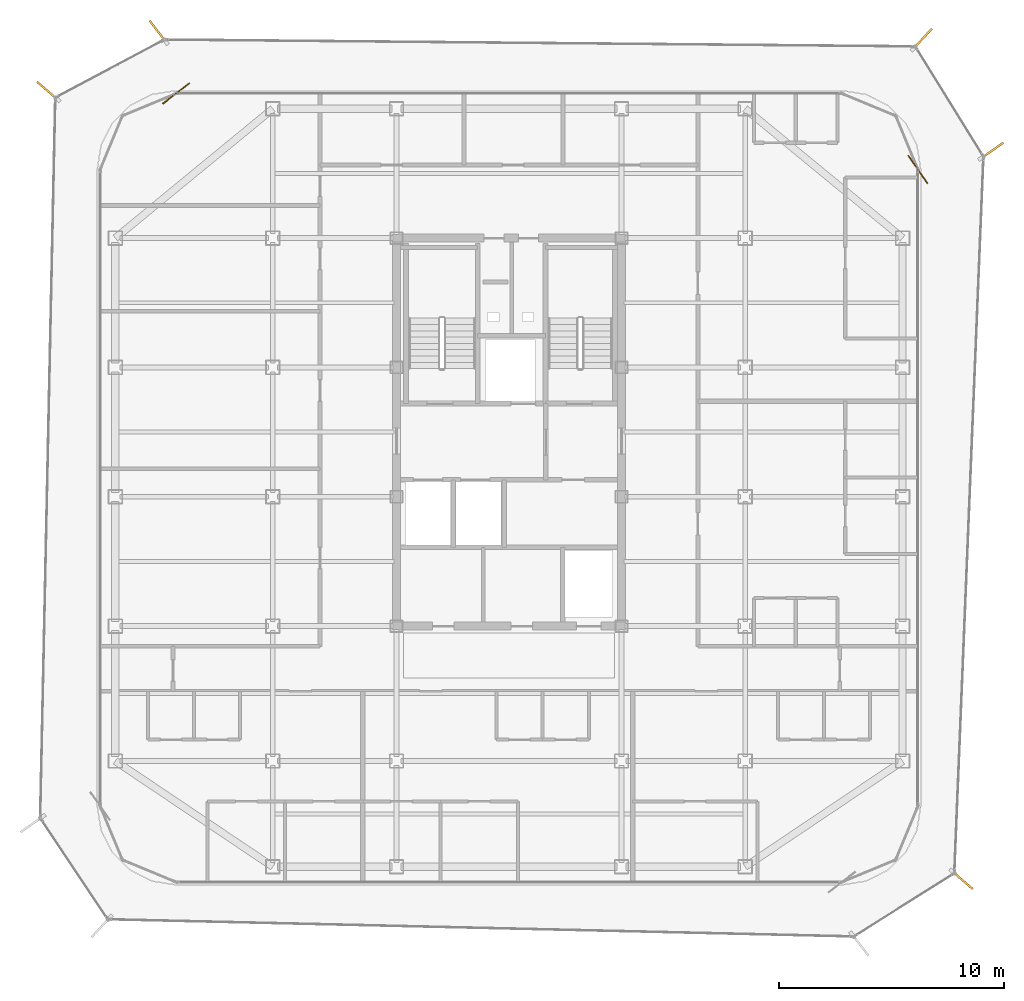
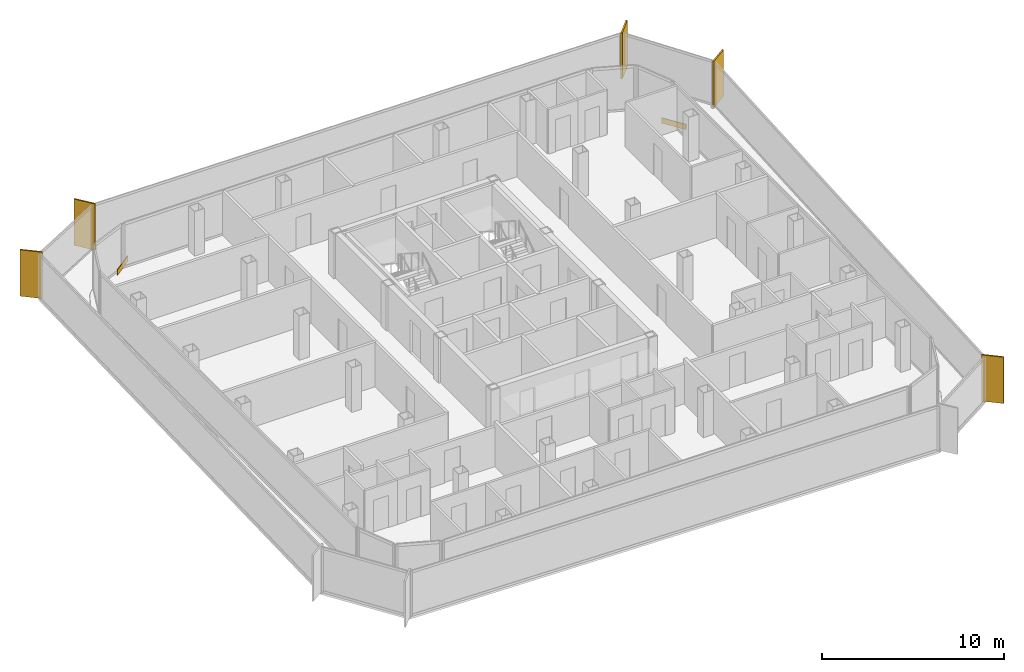
# One storey, part 15 of 15: 5 shading devices, 2 coverings.
"""IFC4 building model written with IfcOpenShell, lengths in metres."""

from ifc_helpers import new_model, si_unit, direction, frame, origin, origin_2d, place, context, subcontext, project, spatial, rectangle, extrude, source, transform, mapped, material, layer, layer_set, type_object, element, save


model = new_model("IFC4")

# Units and contexts
model_context = context("Model", 3, precision=1e-05, world=origin(), true_north=direction((0.0, 1.0)))
body_context = subcontext(model_context, "Body", "Model", "MODEL_VIEW")
ifc_project = project(units=[si_unit("LENGTHUNIT", "METRE"), si_unit("AREAUNIT", "SQUARE_METRE"), si_unit("VOLUMEUNIT", "CUBIC_METRE"), si_unit("PLANEANGLEUNIT", "RADIAN"), si_unit("MASSUNIT", "GRAM", prefix="KILO")], contexts=[model_context])

# Site, building, storey
site_placement = place(None, origin())
site = spatial("IfcSite", under=ifc_project, at=site_placement, CompositionType="ELEMENT")
building_placement = place(site_placement, origin())
building = spatial("IfcBuilding", under=site, at=building_placement, Name="Kolveth Station Tower", CompositionType="ELEMENT")
storey_placement = place(building_placement, frame((0.0, 0.0, 255.300048828125)))
storey = spatial("IfcBuildingStorey", under=building, at=storey_placement, Name="L73", CompositionType="ELEMENT", Elevation=255.300048828125)

# Shading devices
ifc_material_1 = material(Name="Black anodized aluminium 6063-T6", Category="aluminium")
shading_device_type = type_object("IfcShadingDeviceType", Name="FIN_VF1", PredefinedType="USERDEFINED", material=ifc_material_1)
shared_shape_1 = source(origin(), body_context, "Body", "SweptSolid", [
    extrude(rectangle(XDim=1.25, YDim=0.090087890625, at=origin_2d()), origin(), (0.0, 0.0, 1.0), 3.10009765625),
])
for number, where, z_axis, x_axis, name in (
    (1, (43.64599609375, 0.218017578125, 0.0), (0.0, 0.0, 1.0), (0.75619618703, -0.654344960034, 0.0), "L73 Dark-Aluminium Solar Fin 2"),
    (2, (44.969970703125, 32.635009765625, 0.0), (0.0, 0.0, 1.0), (0.82005200509, 0.572289008237, 0.0), "L73 Dark-Aluminium Solar Fin 3"),
    (3, (41.8740234375, 37.596923828125, 0.0), (0.0, 0.0, 1.0), (0.677518077755, 0.735506121195, 0.0), "L73 Dark-Aluminium Solar Fin 4"),
    (4, (7.89990234375, 37.924072265625, 0.0), (0.0, 0.0, 1.0), (-0.609868565477, 0.792502575922, 0.0), "L73 Dark-Aluminium Solar Fin 5"),
    (5, (2.992919921875, 35.2880859375, 0.0), (0.0, 0.0, 1.0), (-0.758134336198, 0.65209840383, 0.0), "L73 Dark-Aluminium Solar Fin 6"),
):
    element("IfcShadingDevice", number, at=place(storey_placement, frame(where, z_axis=z_axis, x_axis=x_axis)), inside=storey, type_object=shading_device_type, Name=name, ObjectType="FIN", PredefinedType="USERDEFINED", context=body_context, shape_type="MappedRepresentation", body=[
        mapped(shared_shape_1, transform((0.0, 0.0, 0.0), x_axis=(1.0, 0.0, 0.0), y_axis=(0.0, 1.0, 0.0), z_axis=(0.0, 0.0, 1.0), scale=1.0)),
    ])

# Coverings
ifc_material_2 = material(Name="Charcoal anodized aluminium spandrel cladding", Category="aluminium")
ifc_layer = layer(ifc_material_2, 0.044921875)
ifc_layer_set = layer_set([ifc_layer], Name="Charcoal anodized aluminium spandrel cladding")
covering_type = type_object("IfcCoveringType", Name="Clad_CD1", PredefinedType="CLADDING", material=ifc_layer_set)
shared_shape_2 = source(origin(), body_context, "Body", "SweptSolid", [
    extrude(rectangle(XDim=1.5, YDim=0.044921875, at=origin_2d()), origin(), (0.0, 0.0, 1.0), 0.360107421875),
])
for number, where, z_axis, x_axis, name in (
    (6, (41.679931640625, 31.800048828125, 0.0), (0.0, 0.0, 1.0), (-0.572289008237, 0.82005200509, 0.0), "L73 Spandrel Edge Cladding 3"),
    (7, (8.699951171875, 35.179931640625, 0.0), (0.0, 0.0, 1.0), (-0.792502575922, -0.609868565477, 0.0), "L73 Spandrel Edge Cladding 5"),
):
    element("IfcCovering", number, at=place(storey_placement, frame(where, z_axis=z_axis, x_axis=x_axis)), inside=storey, type_object=covering_type, Name=name, PredefinedType="CLADDING", context=body_context, shape_type="MappedRepresentation", body=[
        mapped(shared_shape_2, transform((0.0, 0.0, 0.0), x_axis=(1.0, 0.0, 0.0), y_axis=(0.0, 1.0, 0.0), z_axis=(0.0, 0.0, 1.0), scale=1.0)),
    ])

save(model, "model.ifc")
